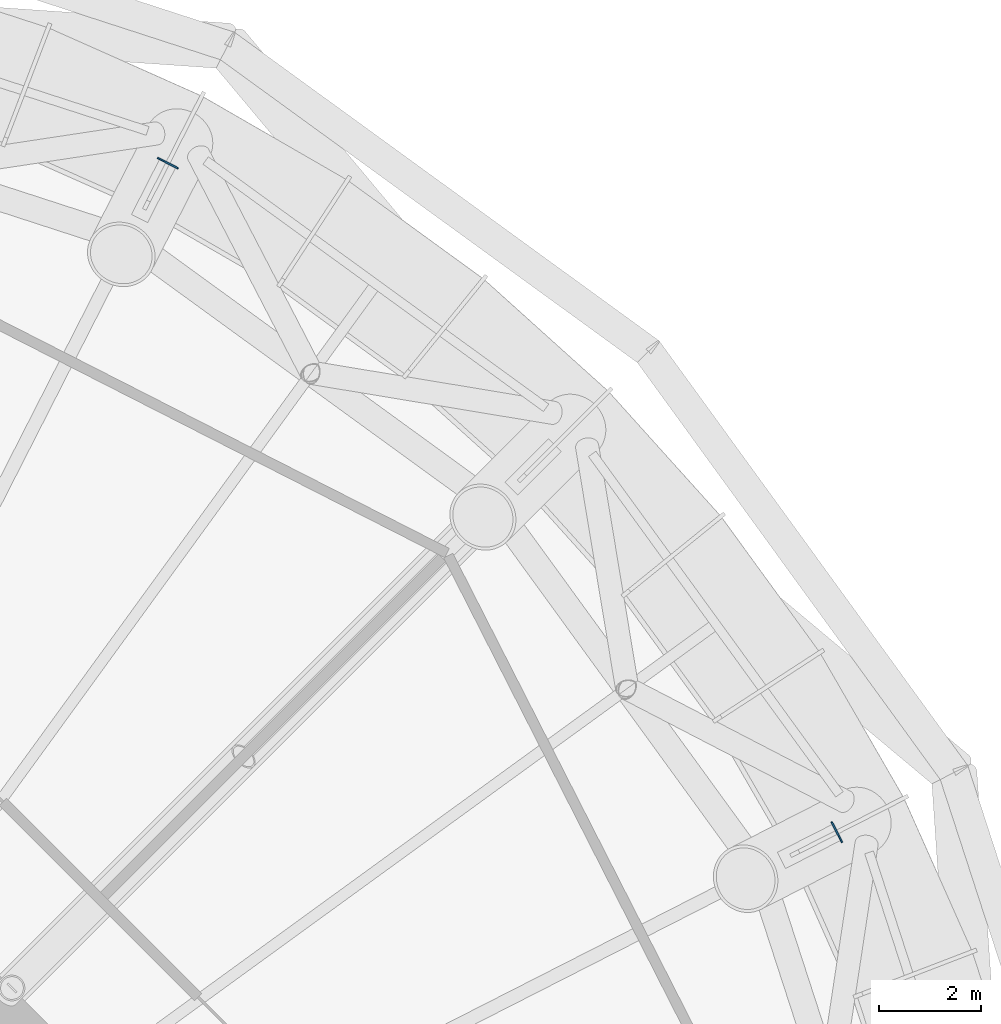
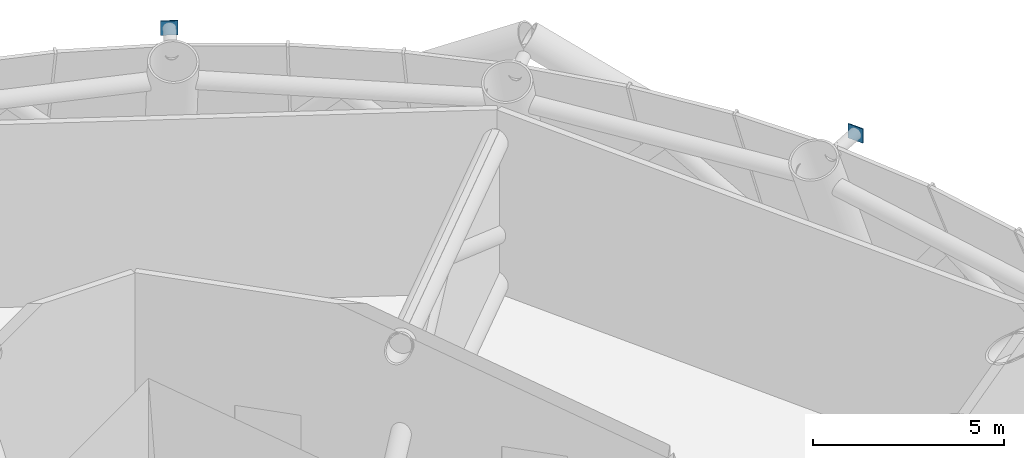
# One storey, part 16 of 18: 2 discrete accessories.
"""IFC4 building model written with IfcOpenShell, lengths in metres."""

from ifc_helpers import new_model, si_unit, direction, frame, origin, origin_2d, place, context, subcontext, project, spatial, rectangle, extrude, material, element, save


model = new_model("IFC4")

# Units and contexts
model_context = context("Model", 3, precision=1e-05, world=origin(), true_north=direction((0.0, 1.0)))
body_context = subcontext(model_context, "Body", "Model", "MODEL_VIEW")
ifc_project = project(units=[si_unit("LENGTHUNIT", "METRE"), si_unit("AREAUNIT", "SQUARE_METRE"), si_unit("VOLUMEUNIT", "CUBIC_METRE"), si_unit("PLANEANGLEUNIT", "RADIAN"), si_unit("MASSUNIT", "GRAM", prefix="KILO")], contexts=[model_context])

# Site, building, storey
site_placement = place(None, origin())
site = spatial("IfcSite", under=ifc_project, at=site_placement, CompositionType="ELEMENT")
building_placement = place(site_placement, origin())
building = spatial("IfcBuilding", under=site, at=building_placement, Name="Entoto Ring Tower", CompositionType="ELEMENT")
storey_placement = place(building_placement, frame((0.0, 0.0, 138.0)))
storey = spatial("IfcBuildingStorey", under=building, at=storey_placement, Name="L31", CompositionType="ELEMENT", Elevation=138.0)

# Discrete accessories
ifc_material = material(Name="Steel S355", Category="steel")
for number, where, z_axis, x_axis, name in (
    (1, (116.832763671875, 93.671875, 5.4443359375), (0.0, 0.0, 1.0), (0.891006524188, 0.45399049974, 0.0), "Node strut end plate DS1 ring 10 02"),
    (2, (103.671875, 106.832763671875, 5.4443359375), (0.0, 0.0, 1.0), (0.45399049974, 0.891006524188, 0.0), "Node strut end plate DS1 ring 10 04"),
):
    element("IfcDiscreteAccessory", number, at=place(storey_placement, frame(where, z_axis=z_axis, x_axis=x_axis)), inside=storey, material=ifc_material, Name=name, PredefinedType="BRACKET", context=body_context, shape_type="SweptSolid", body=[
        extrude(rectangle(XDim=0.030029296875, YDim=0.45556640625, at=origin_2d()), origin(), (0.0, 0.0, 1.0), 0.45556640625),
    ])

save(model, "model.ifc")
